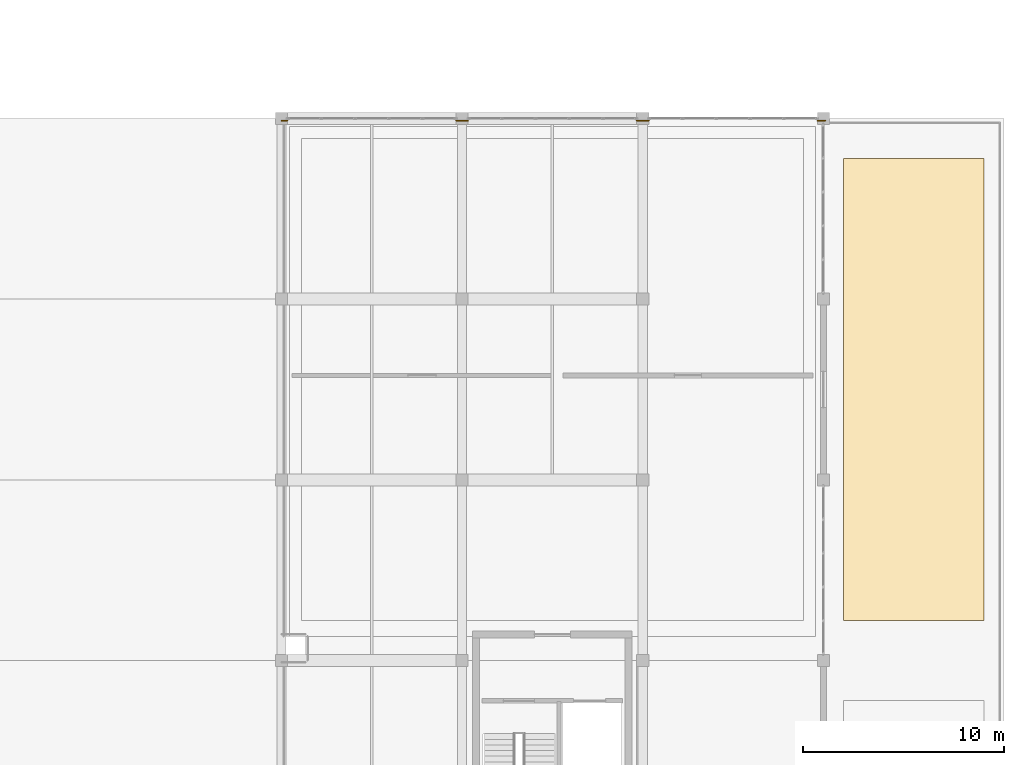
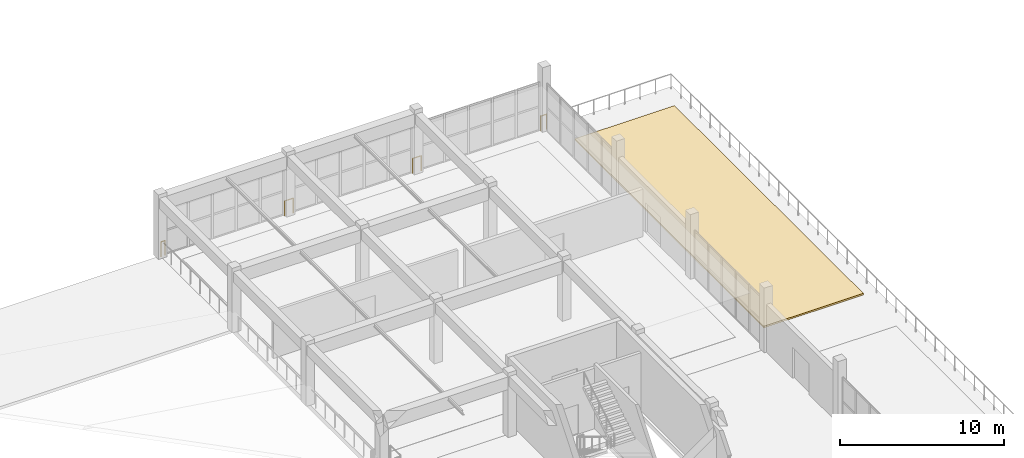
# One storey, part 82 of 89: 4 railings, 1 covering.
"""IFC4 building model written with IfcOpenShell, lengths in metres."""

from ifc_helpers import new_model, si_unit, direction, frame, origin, origin_2d, place, context, subcontext, project, spatial, polyline, circle, outline, extrude, material, layer, layer_set, type_object, element, save


model = new_model("IFC4")

# Units and contexts
model_context = context("Model", 3, precision=1e-05, world=origin(), true_north=direction((0.0, 1.0)))
body_context = subcontext(model_context, "Body", "Model", "MODEL_VIEW")
ifc_project = project(units=[si_unit("LENGTHUNIT", "METRE"), si_unit("AREAUNIT", "SQUARE_METRE"), si_unit("VOLUMEUNIT", "CUBIC_METRE"), si_unit("PLANEANGLEUNIT", "RADIAN"), si_unit("MASSUNIT", "GRAM", prefix="KILO")], contexts=[model_context])

# Site, building, storey
site_placement = place(None, origin())
site = spatial("IfcSite", under=ifc_project, at=site_placement, CompositionType="ELEMENT")
building_placement = place(site_placement, origin())
building = spatial("IfcBuilding", under=site, at=building_placement, Name="Dornveld Trade and Exhibition Forum", CompositionType="ELEMENT")
storey_placement = place(building_placement, frame((0.0, 0.0, 12.0)))
storey = spatial("IfcBuildingStorey", under=building, at=storey_placement, Name="L02", CompositionType="ELEMENT", Elevation=12.0)

# Covering
ifc_material_1 = material(Name="Planted roof-garden substrate and filter layer", Category="earth")
ifc_layer = layer(ifc_material_1, 0.1201171875)
ifc_layer_set = layer_set([ifc_layer], Name="Planted roof-garden substrate and filter layer")
covering_type = type_object("IfcCoveringType", Name="COV-ROOF-PLANT", PredefinedType="ROOFING", material=ifc_layer_set)
covering_placement = place(storey_placement, origin())
element("IfcCovering", 1, at=covering_placement, inside=storey, type_object=covering_type, Name="L02 planted xeriscape roof-garden bed 2", PredefinedType="ROOFING", context=body_context, shape_type="SweptSolid", body=[
    extrude(outline(polyline([(226.0, 29.0), (233.0, 29.0), (233.0, 52.0), (226.0, 52.0), (226.0, 29.0)])), origin(), (0.0, 0.0, 1.0), 0.1201171875),
])

# Railings
ifc_material_2 = material(Name="Dark-bronze steel and laminated glass balustrade", Category="steel")
railing_type = type_object("IfcRailingType", Name="RL-BALUST-CONC", PredefinedType="BALUSTRADE", material=ifc_material_2)
railing_1_placement = place(storey_placement, frame((198.0, 53.89990234375, 0.0)))
element("IfcRailing", 2, at=railing_1_placement, inside=storey, type_object=railing_type, Name="L02 deck edge balustrade 103", PredefinedType="BALUSTRADE", context=body_context, shape_type="SweptSolid", body=[
    extrude(circle(Radius=0.02490234375, at=origin_2d()), frame((0.0, 0.0, 1.09521484375), z_axis=(1.0, 0.0, 0.0), x_axis=(0.0, 1.0, 0.0)), (0.0, 0.0, 1.0), 0.2958984375),
    extrude(circle(Radius=0.02099609375, at=origin_2d()), origin(), (0.0, 0.0, 1.0), 1.070068359375),
    extrude(circle(Radius=0.02099609375, at=origin_2d()), frame((0.2958984375, 0.0, 0.0)), (0.0, 0.0, 1.0), 1.070068359375),
])
for number, where, name in (
    (3, (206.7041015625, 53.89990234375, 0.0), "L02 deck edge balustrade 104"),
    (4, (215.7041015625, 53.89990234375, 0.0), "L02 deck edge balustrade 105"),
):
    element("IfcRailing", number, at=place(storey_placement, frame(where)), inside=storey, type_object=railing_type, Name=name, PredefinedType="BALUSTRADE", context=body_context, shape_type="SweptSolid", body=[
        extrude(circle(Radius=0.02490234375, at=origin_2d()), frame((0.0, 0.0, 1.09521484375), z_axis=(1.0, 0.0, 0.0), x_axis=(0.0, 1.0, 0.0)), (0.0, 0.0, 1.0), 0.591796875),
        extrude(circle(Radius=0.02099609375, at=origin_2d()), origin(), (0.0, 0.0, 1.0), 1.070068359375),
        extrude(circle(Radius=0.02099609375, at=origin_2d()), frame((0.591796875, 0.0, 0.0)), (0.0, 0.0, 1.0), 1.070068359375),
    ])
railing_2_placement = place(storey_placement, frame((224.7041015625, 53.89990234375, 0.0)))
element("IfcRailing", 5, at=railing_2_placement, inside=storey, type_object=railing_type, Name="L02 deck edge balustrade 106", PredefinedType="BALUSTRADE", context=body_context, shape_type="SweptSolid", body=[
    extrude(circle(Radius=0.02490234375, at=origin_2d()), frame((0.0, 0.0, 1.09521484375), z_axis=(1.0, 0.0, 0.0), x_axis=(0.0, 1.0, 0.0)), (0.0, 0.0, 1.0), 0.39599609375),
    extrude(circle(Radius=0.02099609375, at=origin_2d()), origin(), (0.0, 0.0, 1.0), 1.070068359375),
    extrude(circle(Radius=0.02099609375, at=origin_2d()), frame((0.39599609375, 0.0, 0.0)), (0.0, 0.0, 1.0), 1.070068359375),
])

save(model, "model.ifc")
